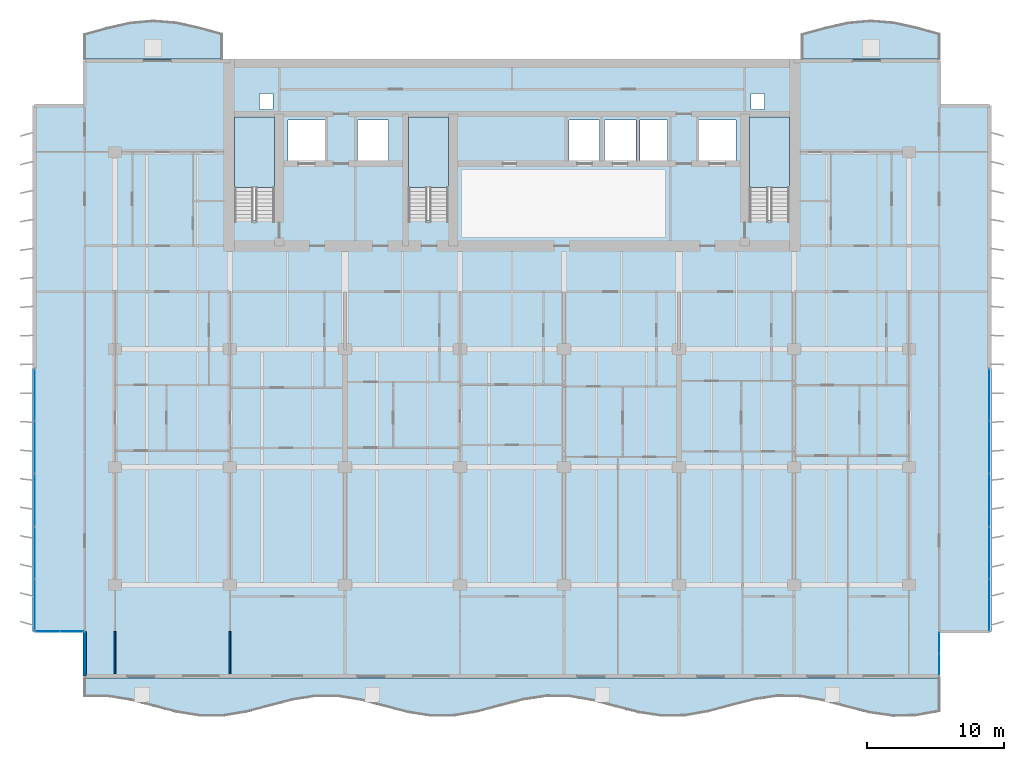
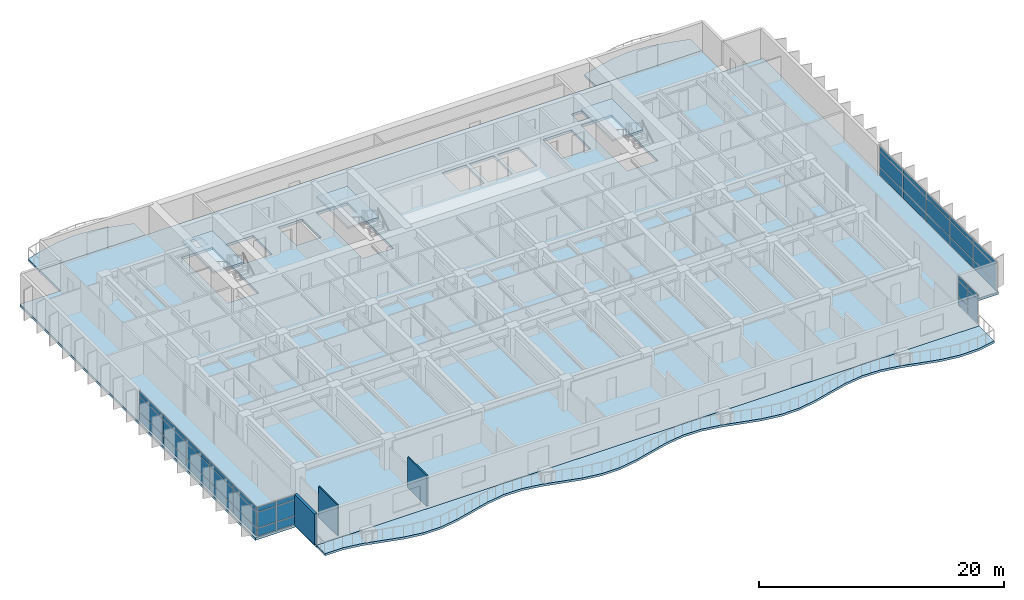
# One storey, part 5 of 19: 42 plates, 7 slabs, 3 walls, 7 elements without a shape of their own.
"""IFC4 building model written with IfcOpenShell, lengths in metres."""

from ifc_helpers import new_model, si_unit, direction, frame, frame_2d, origin, origin_2d, place, context, subcontext, project, spatial, polyline, rectangle, outline, extrude, material, layer, layer_set, type_object, element, aggregate, save


model = new_model("IFC4")

# Units and contexts
model_context = context("Model", 3, precision=1e-05, world=origin(), true_north=direction((0.0, 1.0)))
body_context = subcontext(model_context, "Body", "Model", "MODEL_VIEW")
ifc_project = project(units=[si_unit("LENGTHUNIT", "METRE"), si_unit("AREAUNIT", "SQUARE_METRE"), si_unit("VOLUMEUNIT", "CUBIC_METRE"), si_unit("PLANEANGLEUNIT", "RADIAN"), si_unit("MASSUNIT", "GRAM", prefix="KILO")], contexts=[model_context])

# Site, building, storey
site_placement = place(None, origin())
site = spatial("IfcSite", under=ifc_project, at=site_placement, CompositionType="ELEMENT")
building_placement = place(site_placement, origin())
building = spatial("IfcBuilding", under=site, at=building_placement, Name="Caelmar Bay Residences", CompositionType="ELEMENT")
storey_placement = place(building_placement, frame((0.0, 0.0, 112.5)))
storey = spatial("IfcBuildingStorey", under=building, at=storey_placement, Name="L30", CompositionType="ELEMENT", Elevation=112.5)

# Curtain wall, plates
ifc_material_1 = material(Name="Anodised bronze aluminium 6063-T6 and laminated glass", Category="aluminium")
ifc_layer_1 = layer(ifc_material_1, 0.179931640625)
ifc_layer_set_1 = layer_set([ifc_layer_1], Name="Anodised bronze aluminium 6063-T6 and laminated glass")
curtain_wall_type_1 = type_object("IfcCurtainWallType", Name="CW6-NTC", PredefinedType="NOTDEFINED", material=ifc_layer_set_1)
curtain_wall_1_placement = place(storey_placement, origin())
curtain_wall_1 = element("IfcCurtainWall", 1, at=curtain_wall_1_placement, inside=storey, type_object=curtain_wall_type_1, Name="CW6 curtain wall L30", PredefinedType="NOTDEFINED")
ifc_material_2 = material(Name="Bronze-tinted laminated low-E hurricane glass 28 mm", Category="glass")
ifc_layer_2 = layer(ifc_material_2, 0.028076171875)
ifc_layer_set_2 = layer_set([ifc_layer_2], Name="Bronze-tinted laminated low-E hurricane glass 28 mm")
plate_type = type_object("IfcPlateType", Name="CWP-GLZ28", PredefinedType="CURTAIN_PANEL", material=ifc_layer_set_2)
plate_1_placement = place(storey_placement, frame((4.982421875, 8.800048828125, 0.080078125), z_axis=(0.0, 0.0, 1.0), x_axis=(1.0, 0.0, 0.0)))
plate_1 = element("IfcPlate", 2, at=plate_1_placement, type_object=plate_type, Name="CW6 panel 1.1", PredefinedType="CURTAIN_PANEL", context=body_context, shape_type="SweptSolid", body=[
    extrude(rectangle(XDim=1.705078125, YDim=0.028076171875, at=origin_2d()), origin(), (0.0, 0.0, 1.0), 0.780029296875),
])
plate_2_placement = place(storey_placement, frame((4.982421875, 8.800048828125, 0.93994140625), z_axis=(0.0, 0.0, 1.0), x_axis=(1.0, 0.0, 0.0)))
plate_2 = element("IfcPlate", 3, at=plate_2_placement, type_object=plate_type, Name="CW6 panel 1.2", PredefinedType="CURTAIN_PANEL", context=body_context, shape_type="SweptSolid", body=[
    extrude(rectangle(XDim=1.705078125, YDim=0.028076171875, at=origin_2d()), origin(), (0.0, 0.0, 1.0), 1.52001953125),
])
plate_3_placement = place(storey_placement, frame((4.982421875, 8.800048828125, 2.5400390625), z_axis=(0.0, 0.0, 1.0), x_axis=(1.0, 0.0, 0.0)))
plate_3 = element("IfcPlate", 4, at=plate_3_placement, type_object=plate_type, Name="CW6 panel 1.3", PredefinedType="CURTAIN_PANEL", context=body_context, shape_type="SweptSolid", body=[
    extrude(rectangle(XDim=1.705078125, YDim=0.028076171875, at=origin_2d()), origin(), (0.0, 0.0, 1.0), 0.429931640625),
])
plate_4_placement = place(storey_placement, frame((6.767578125, 8.800048828125, 0.080078125), z_axis=(0.0, 0.0, 1.0), x_axis=(1.0, 0.0, 0.0)))
plate_4 = element("IfcPlate", 5, at=plate_4_placement, type_object=plate_type, Name="CW6 panel 2.1", PredefinedType="CURTAIN_PANEL", context=body_context, shape_type="SweptSolid", body=[
    extrude(rectangle(XDim=1.705078125, YDim=0.028076171875, at=origin_2d()), origin(), (0.0, 0.0, 1.0), 0.780029296875),
])
plate_5_placement = place(storey_placement, frame((6.767578125, 8.800048828125, 0.93994140625), z_axis=(0.0, 0.0, 1.0), x_axis=(1.0, 0.0, 0.0)))
plate_5 = element("IfcPlate", 6, at=plate_5_placement, type_object=plate_type, Name="CW6 panel 2.2", PredefinedType="CURTAIN_PANEL", context=body_context, shape_type="SweptSolid", body=[
    extrude(rectangle(XDim=1.705078125, YDim=0.028076171875, at=origin_2d()), origin(), (0.0, 0.0, 1.0), 1.52001953125),
])
plate_6_placement = place(storey_placement, frame((6.767578125, 8.800048828125, 2.5400390625), z_axis=(0.0, 0.0, 1.0), x_axis=(1.0, 0.0, 0.0)))
plate_6 = element("IfcPlate", 7, at=plate_6_placement, type_object=plate_type, Name="CW6 panel 2.3", PredefinedType="CURTAIN_PANEL", context=body_context, shape_type="SweptSolid", body=[
    extrude(rectangle(XDim=1.705078125, YDim=0.028076171875, at=origin_2d()), origin(), (0.0, 0.0, 1.0), 0.429931640625),
])
aggregate(curtain_wall_1, [plate_1, plate_2, plate_3, plate_4, plate_5, plate_6])

curtain_wall_2_placement = place(storey_placement, origin())
curtain_wall_2 = element("IfcCurtainWall", 8, at=curtain_wall_2_placement, inside=storey, type_object=curtain_wall_type_1, Name="CW6 curtain wall L30", PredefinedType="NOTDEFINED")
plate_7_placement = place(storey_placement, frame((70.10009765625, 6.382568359375, 0.080078125), z_axis=(0.0, 0.0, 1.0), x_axis=(0.0, 1.0, 0.0)))
plate_7 = element("IfcPlate", 9, at=plate_7_placement, type_object=plate_type, Name="CW6 panel 1.1", PredefinedType="CURTAIN_PANEL", context=body_context, shape_type="SweptSolid", body=[
    extrude(rectangle(XDim=1.5048828125, YDim=0.028076171875, at=origin_2d()), origin(), (0.0, 0.0, 1.0), 0.780029296875),
])
plate_8_placement = place(storey_placement, frame((70.10009765625, 6.382568359375, 0.93994140625), z_axis=(0.0, 0.0, 1.0), x_axis=(0.0, 1.0, 0.0)))
plate_8 = element("IfcPlate", 10, at=plate_8_placement, type_object=plate_type, Name="CW6 panel 1.2", PredefinedType="CURTAIN_PANEL", context=body_context, shape_type="SweptSolid", body=[
    extrude(rectangle(XDim=1.5048828125, YDim=0.028076171875, at=origin_2d()), origin(), (0.0, 0.0, 1.0), 1.52001953125),
])
plate_9_placement = place(storey_placement, frame((70.10009765625, 6.382568359375, 2.5400390625), z_axis=(0.0, 0.0, 1.0), x_axis=(0.0, 1.0, 0.0)))
plate_9 = element("IfcPlate", 11, at=plate_9_placement, type_object=plate_type, Name="CW6 panel 1.3", PredefinedType="CURTAIN_PANEL", context=body_context, shape_type="SweptSolid", body=[
    extrude(rectangle(XDim=1.5048828125, YDim=0.028076171875, at=origin_2d()), origin(), (0.0, 0.0, 1.0), 0.429931640625),
])
plate_10_placement = place(storey_placement, frame((70.10009765625, 7.967529296875, 0.080078125), z_axis=(0.0, 0.0, 1.0), x_axis=(0.0, 1.0, 0.0)))
plate_10 = element("IfcPlate", 12, at=plate_10_placement, type_object=plate_type, Name="CW6 panel 2.1", PredefinedType="CURTAIN_PANEL", context=body_context, shape_type="SweptSolid", body=[
    extrude(rectangle(XDim=1.5048828125, YDim=0.028076171875, at=origin_2d()), origin(), (0.0, 0.0, 1.0), 0.780029296875),
])
plate_11_placement = place(storey_placement, frame((70.10009765625, 7.967529296875, 0.93994140625), z_axis=(0.0, 0.0, 1.0), x_axis=(0.0, 1.0, 0.0)))
plate_11 = element("IfcPlate", 13, at=plate_11_placement, type_object=plate_type, Name="CW6 panel 2.2", PredefinedType="CURTAIN_PANEL", context=body_context, shape_type="SweptSolid", body=[
    extrude(rectangle(XDim=1.5048828125, YDim=0.028076171875, at=origin_2d()), origin(), (0.0, 0.0, 1.0), 1.52001953125),
])
plate_12_placement = place(storey_placement, frame((70.10009765625, 7.967529296875, 2.5400390625), z_axis=(0.0, 0.0, 1.0), x_axis=(0.0, 1.0, 0.0)))
plate_12 = element("IfcPlate", 14, at=plate_12_placement, type_object=plate_type, Name="CW6 panel 2.3", PredefinedType="CURTAIN_PANEL", context=body_context, shape_type="SweptSolid", body=[
    extrude(rectangle(XDim=1.5048828125, YDim=0.028076171875, at=origin_2d()), origin(), (0.0, 0.0, 1.0), 0.429931640625),
])
aggregate(curtain_wall_2, [plate_7, plate_8, plate_9, plate_10, plate_11, plate_12])

ifc_layer_3 = layer(ifc_material_1, 0.179931640625)
ifc_layer_set_3 = layer_set([ifc_layer_3], Name="Anodised bronze aluminium 6063-T6 and laminated glass")
curtain_wall_type_2 = type_object("IfcCurtainWallType", Name="CW3-Z2", PredefinedType="NOTDEFINED", material=ifc_layer_set_3)
curtain_wall_3_placement = place(storey_placement, origin())
curtain_wall_3 = element("IfcCurtainWall", 15, at=curtain_wall_3_placement, inside=storey, type_object=curtain_wall_type_2, Name="CW3 curtain wall L30", PredefinedType="NOTDEFINED")
plate_13_placement = place(storey_placement, frame((4.050048828125, 10.739990234375, 0.080078125), z_axis=(0.0, 0.0, 1.0), x_axis=(0.0, 1.0, 0.0)))
plate_13 = element("IfcPlate", 16, at=plate_13_placement, type_object=plate_type, Name="CW3 panel 1.1", PredefinedType="CURTAIN_PANEL", context=body_context, shape_type="SweptSolid", body=[
    extrude(rectangle(XDim=3.719970703125, YDim=0.028076171875, at=origin_2d()), origin(), (0.0, 0.0, 1.0), 0.780029296875),
])
plate_14_placement = place(storey_placement, frame((4.050048828125, 10.739990234375, 0.93994140625), z_axis=(0.0, 0.0, 1.0), x_axis=(0.0, 1.0, 0.0)))
plate_14 = element("IfcPlate", 17, at=plate_14_placement, type_object=plate_type, Name="CW3 panel 1.2", PredefinedType="CURTAIN_PANEL", context=body_context, shape_type="SweptSolid", body=[
    extrude(rectangle(XDim=3.719970703125, YDim=0.028076171875, at=origin_2d()), origin(), (0.0, 0.0, 1.0), 1.52001953125),
])
plate_15_placement = place(storey_placement, frame((4.050048828125, 10.739990234375, 2.5400390625), z_axis=(0.0, 0.0, 1.0), x_axis=(0.0, 1.0, 0.0)))
plate_15 = element("IfcPlate", 18, at=plate_15_placement, type_object=plate_type, Name="CW3 panel 1.3", PredefinedType="CURTAIN_PANEL", context=body_context, shape_type="SweptSolid", body=[
    extrude(rectangle(XDim=3.719970703125, YDim=0.028076171875, at=origin_2d()), origin(), (0.0, 0.0, 1.0), 0.429931640625),
])
plate_16_placement = place(storey_placement, frame((4.050048828125, 14.56005859375, 0.080078125), z_axis=(0.0, 0.0, 1.0), x_axis=(0.0, 1.0, 0.0)))
plate_16 = element("IfcPlate", 19, at=plate_16_placement, type_object=plate_type, Name="CW3 panel 2.1", PredefinedType="CURTAIN_PANEL", context=body_context, shape_type="SweptSolid", body=[
    extrude(rectangle(XDim=3.760009765625, YDim=0.028076171875, at=origin_2d()), origin(), (0.0, 0.0, 1.0), 0.780029296875),
])
plate_17_placement = place(storey_placement, frame((4.050048828125, 14.56005859375, 0.93994140625), z_axis=(0.0, 0.0, 1.0), x_axis=(0.0, 1.0, 0.0)))
plate_17 = element("IfcPlate", 20, at=plate_17_placement, type_object=plate_type, Name="CW3 panel 2.2", PredefinedType="CURTAIN_PANEL", context=body_context, shape_type="SweptSolid", body=[
    extrude(rectangle(XDim=3.760009765625, YDim=0.028076171875, at=origin_2d()), origin(), (0.0, 0.0, 1.0), 1.52001953125),
])
plate_18_placement = place(storey_placement, frame((4.050048828125, 14.56005859375, 2.5400390625), z_axis=(0.0, 0.0, 1.0), x_axis=(0.0, 1.0, 0.0)))
plate_18 = element("IfcPlate", 21, at=plate_18_placement, type_object=plate_type, Name="CW3 panel 2.3", PredefinedType="CURTAIN_PANEL", context=body_context, shape_type="SweptSolid", body=[
    extrude(rectangle(XDim=3.760009765625, YDim=0.028076171875, at=origin_2d()), origin(), (0.0, 0.0, 1.0), 0.429931640625),
])
plate_19_placement = place(storey_placement, frame((4.050048828125, 18.39990234375, 0.080078125), z_axis=(0.0, 0.0, 1.0), x_axis=(0.0, 1.0, 0.0)))
plate_19 = element("IfcPlate", 22, at=plate_19_placement, type_object=plate_type, Name="CW3 panel 3.1", PredefinedType="CURTAIN_PANEL", context=body_context, shape_type="SweptSolid", body=[
    extrude(rectangle(XDim=3.760009765625, YDim=0.028076171875, at=origin_2d()), origin(), (0.0, 0.0, 1.0), 0.780029296875),
])
plate_20_placement = place(storey_placement, frame((4.050048828125, 18.39990234375, 0.93994140625), z_axis=(0.0, 0.0, 1.0), x_axis=(0.0, 1.0, 0.0)))
plate_20 = element("IfcPlate", 23, at=plate_20_placement, type_object=plate_type, Name="CW3 panel 3.2", PredefinedType="CURTAIN_PANEL", context=body_context, shape_type="SweptSolid", body=[
    extrude(rectangle(XDim=3.760009765625, YDim=0.028076171875, at=origin_2d()), origin(), (0.0, 0.0, 1.0), 1.52001953125),
])
plate_21_placement = place(storey_placement, frame((4.050048828125, 18.39990234375, 2.5400390625), z_axis=(0.0, 0.0, 1.0), x_axis=(0.0, 1.0, 0.0)))
plate_21 = element("IfcPlate", 24, at=plate_21_placement, type_object=plate_type, Name="CW3 panel 3.3", PredefinedType="CURTAIN_PANEL", context=body_context, shape_type="SweptSolid", body=[
    extrude(rectangle(XDim=3.760009765625, YDim=0.028076171875, at=origin_2d()), origin(), (0.0, 0.0, 1.0), 0.429931640625),
])
plate_22_placement = place(storey_placement, frame((4.050048828125, 22.239990234375, 0.080078125), z_axis=(0.0, 0.0, 1.0), x_axis=(0.0, 1.0, 0.0)))
plate_22 = element("IfcPlate", 25, at=plate_22_placement, type_object=plate_type, Name="CW3 panel 4.1", PredefinedType="CURTAIN_PANEL", context=body_context, shape_type="SweptSolid", body=[
    extrude(rectangle(XDim=3.760009765625, YDim=0.028076171875, at=origin_2d()), origin(), (0.0, 0.0, 1.0), 0.780029296875),
])
plate_23_placement = place(storey_placement, frame((4.050048828125, 22.239990234375, 0.93994140625), z_axis=(0.0, 0.0, 1.0), x_axis=(0.0, 1.0, 0.0)))
plate_23 = element("IfcPlate", 26, at=plate_23_placement, type_object=plate_type, Name="CW3 panel 4.2", PredefinedType="CURTAIN_PANEL", context=body_context, shape_type="SweptSolid", body=[
    extrude(rectangle(XDim=3.760009765625, YDim=0.028076171875, at=origin_2d()), origin(), (0.0, 0.0, 1.0), 1.52001953125),
])
plate_24_placement = place(storey_placement, frame((4.050048828125, 22.239990234375, 2.5400390625), z_axis=(0.0, 0.0, 1.0), x_axis=(0.0, 1.0, 0.0)))
plate_24 = element("IfcPlate", 27, at=plate_24_placement, type_object=plate_type, Name="CW3 panel 4.3", PredefinedType="CURTAIN_PANEL", context=body_context, shape_type="SweptSolid", body=[
    extrude(rectangle(XDim=3.760009765625, YDim=0.028076171875, at=origin_2d()), origin(), (0.0, 0.0, 1.0), 0.429931640625),
])
plate_25_placement = place(storey_placement, frame((4.050048828125, 26.06005859375, 0.080078125), z_axis=(0.0, 0.0, 1.0), x_axis=(0.0, 1.0, 0.0)))
plate_25 = element("IfcPlate", 28, at=plate_25_placement, type_object=plate_type, Name="CW3 panel 5.1", PredefinedType="CURTAIN_PANEL", context=body_context, shape_type="SweptSolid", body=[
    extrude(rectangle(XDim=3.719970703125, YDim=0.028076171875, at=origin_2d()), origin(), (0.0, 0.0, 1.0), 0.780029296875),
])
plate_26_placement = place(storey_placement, frame((4.050048828125, 26.06005859375, 0.93994140625), z_axis=(0.0, 0.0, 1.0), x_axis=(0.0, 1.0, 0.0)))
plate_26 = element("IfcPlate", 29, at=plate_26_placement, type_object=plate_type, Name="CW3 panel 5.2", PredefinedType="CURTAIN_PANEL", context=body_context, shape_type="SweptSolid", body=[
    extrude(rectangle(XDim=3.719970703125, YDim=0.028076171875, at=origin_2d()), origin(), (0.0, 0.0, 1.0), 1.52001953125),
])
plate_27_placement = place(storey_placement, frame((4.050048828125, 26.06005859375, 2.5400390625), z_axis=(0.0, 0.0, 1.0), x_axis=(0.0, 1.0, 0.0)))
plate_27 = element("IfcPlate", 30, at=plate_27_placement, type_object=plate_type, Name="CW3 panel 5.3", PredefinedType="CURTAIN_PANEL", context=body_context, shape_type="SweptSolid", body=[
    extrude(rectangle(XDim=3.719970703125, YDim=0.028076171875, at=origin_2d()), origin(), (0.0, 0.0, 1.0), 0.429931640625),
])
aggregate(curtain_wall_3, [plate_13, plate_14, plate_15, plate_16, plate_17, plate_18, plate_19, plate_20, plate_21, plate_22, plate_23, plate_24, plate_25, plate_26, plate_27])

curtain_wall_4_placement = place(storey_placement, origin())
curtain_wall_4 = element("IfcCurtainWall", 31, at=curtain_wall_4_placement, inside=storey, type_object=curtain_wall_type_2, Name="CW3 curtain wall L30", PredefinedType="NOTDEFINED")
plate_28_placement = place(storey_placement, frame((73.75, 26.06005859375, 0.080078125), z_axis=(0.0, 0.0, 1.0), x_axis=(0.0, -1.0, 0.0)))
plate_28 = element("IfcPlate", 32, at=plate_28_placement, type_object=plate_type, Name="CW3 panel 1.1", PredefinedType="CURTAIN_PANEL", context=body_context, shape_type="SweptSolid", body=[
    extrude(rectangle(XDim=3.719970703125, YDim=0.028076171875, at=origin_2d()), origin(), (0.0, 0.0, 1.0), 0.780029296875),
])
plate_29_placement = place(storey_placement, frame((73.75, 26.06005859375, 0.93994140625), z_axis=(0.0, 0.0, 1.0), x_axis=(0.0, -1.0, 0.0)))
plate_29 = element("IfcPlate", 33, at=plate_29_placement, type_object=plate_type, Name="CW3 panel 1.2", PredefinedType="CURTAIN_PANEL", context=body_context, shape_type="SweptSolid", body=[
    extrude(rectangle(XDim=3.719970703125, YDim=0.028076171875, at=origin_2d()), origin(), (0.0, 0.0, 1.0), 1.52001953125),
])
plate_30_placement = place(storey_placement, frame((73.75, 26.06005859375, 2.5400390625), z_axis=(0.0, 0.0, 1.0), x_axis=(0.0, -1.0, 0.0)))
plate_30 = element("IfcPlate", 34, at=plate_30_placement, type_object=plate_type, Name="CW3 panel 1.3", PredefinedType="CURTAIN_PANEL", context=body_context, shape_type="SweptSolid", body=[
    extrude(rectangle(XDim=3.719970703125, YDim=0.028076171875, at=origin_2d()), origin(), (0.0, 0.0, 1.0), 0.429931640625),
])
plate_31_placement = place(storey_placement, frame((73.75, 22.239990234375, 0.080078125), z_axis=(0.0, 0.0, 1.0), x_axis=(0.0, -1.0, 0.0)))
plate_31 = element("IfcPlate", 35, at=plate_31_placement, type_object=plate_type, Name="CW3 panel 2.1", PredefinedType="CURTAIN_PANEL", context=body_context, shape_type="SweptSolid", body=[
    extrude(rectangle(XDim=3.760009765625, YDim=0.028076171875, at=origin_2d()), origin(), (0.0, 0.0, 1.0), 0.780029296875),
])
plate_32_placement = place(storey_placement, frame((73.75, 22.239990234375, 0.93994140625), z_axis=(0.0, 0.0, 1.0), x_axis=(0.0, -1.0, 0.0)))
plate_32 = element("IfcPlate", 36, at=plate_32_placement, type_object=plate_type, Name="CW3 panel 2.2", PredefinedType="CURTAIN_PANEL", context=body_context, shape_type="SweptSolid", body=[
    extrude(rectangle(XDim=3.760009765625, YDim=0.028076171875, at=origin_2d()), origin(), (0.0, 0.0, 1.0), 1.52001953125),
])
plate_33_placement = place(storey_placement, frame((73.75, 22.239990234375, 2.5400390625), z_axis=(0.0, 0.0, 1.0), x_axis=(0.0, -1.0, 0.0)))
plate_33 = element("IfcPlate", 37, at=plate_33_placement, type_object=plate_type, Name="CW3 panel 2.3", PredefinedType="CURTAIN_PANEL", context=body_context, shape_type="SweptSolid", body=[
    extrude(rectangle(XDim=3.760009765625, YDim=0.028076171875, at=origin_2d()), origin(), (0.0, 0.0, 1.0), 0.429931640625),
])
plate_34_placement = place(storey_placement, frame((73.75, 18.39990234375, 0.080078125), z_axis=(0.0, 0.0, 1.0), x_axis=(0.0, -1.0, 0.0)))
plate_34 = element("IfcPlate", 38, at=plate_34_placement, type_object=plate_type, Name="CW3 panel 3.1", PredefinedType="CURTAIN_PANEL", context=body_context, shape_type="SweptSolid", body=[
    extrude(rectangle(XDim=3.760009765625, YDim=0.028076171875, at=origin_2d()), origin(), (0.0, 0.0, 1.0), 0.780029296875),
])
plate_35_placement = place(storey_placement, frame((73.75, 18.39990234375, 0.93994140625), z_axis=(0.0, 0.0, 1.0), x_axis=(0.0, -1.0, 0.0)))
plate_35 = element("IfcPlate", 39, at=plate_35_placement, type_object=plate_type, Name="CW3 panel 3.2", PredefinedType="CURTAIN_PANEL", context=body_context, shape_type="SweptSolid", body=[
    extrude(rectangle(XDim=3.760009765625, YDim=0.028076171875, at=origin_2d()), origin(), (0.0, 0.0, 1.0), 1.52001953125),
])
plate_36_placement = place(storey_placement, frame((73.75, 18.39990234375, 2.5400390625), z_axis=(0.0, 0.0, 1.0), x_axis=(0.0, -1.0, 0.0)))
plate_36 = element("IfcPlate", 40, at=plate_36_placement, type_object=plate_type, Name="CW3 panel 3.3", PredefinedType="CURTAIN_PANEL", context=body_context, shape_type="SweptSolid", body=[
    extrude(rectangle(XDim=3.760009765625, YDim=0.028076171875, at=origin_2d()), origin(), (0.0, 0.0, 1.0), 0.429931640625),
])
plate_37_placement = place(storey_placement, frame((73.75, 14.56005859375, 0.080078125), z_axis=(0.0, 0.0, 1.0), x_axis=(0.0, -1.0, 0.0)))
plate_37 = element("IfcPlate", 41, at=plate_37_placement, type_object=plate_type, Name="CW3 panel 4.1", PredefinedType="CURTAIN_PANEL", context=body_context, shape_type="SweptSolid", body=[
    extrude(rectangle(XDim=3.760009765625, YDim=0.028076171875, at=origin_2d()), origin(), (0.0, 0.0, 1.0), 0.780029296875),
])
plate_38_placement = place(storey_placement, frame((73.75, 14.56005859375, 0.93994140625), z_axis=(0.0, 0.0, 1.0), x_axis=(0.0, -1.0, 0.0)))
plate_38 = element("IfcPlate", 42, at=plate_38_placement, type_object=plate_type, Name="CW3 panel 4.2", PredefinedType="CURTAIN_PANEL", context=body_context, shape_type="SweptSolid", body=[
    extrude(rectangle(XDim=3.760009765625, YDim=0.028076171875, at=origin_2d()), origin(), (0.0, 0.0, 1.0), 1.52001953125),
])
plate_39_placement = place(storey_placement, frame((73.75, 14.56005859375, 2.5400390625), z_axis=(0.0, 0.0, 1.0), x_axis=(0.0, -1.0, 0.0)))
plate_39 = element("IfcPlate", 43, at=plate_39_placement, type_object=plate_type, Name="CW3 panel 4.3", PredefinedType="CURTAIN_PANEL", context=body_context, shape_type="SweptSolid", body=[
    extrude(rectangle(XDim=3.760009765625, YDim=0.028076171875, at=origin_2d()), origin(), (0.0, 0.0, 1.0), 0.429931640625),
])
plate_40_placement = place(storey_placement, frame((73.75, 10.739990234375, 0.080078125), z_axis=(0.0, 0.0, 1.0), x_axis=(0.0, -1.0, 0.0)))
plate_40 = element("IfcPlate", 44, at=plate_40_placement, type_object=plate_type, Name="CW3 panel 5.1", PredefinedType="CURTAIN_PANEL", context=body_context, shape_type="SweptSolid", body=[
    extrude(rectangle(XDim=3.719970703125, YDim=0.028076171875, at=origin_2d()), origin(), (0.0, 0.0, 1.0), 0.780029296875),
])
plate_41_placement = place(storey_placement, frame((73.75, 10.739990234375, 0.93994140625), z_axis=(0.0, 0.0, 1.0), x_axis=(0.0, -1.0, 0.0)))
plate_41 = element("IfcPlate", 45, at=plate_41_placement, type_object=plate_type, Name="CW3 panel 5.2", PredefinedType="CURTAIN_PANEL", context=body_context, shape_type="SweptSolid", body=[
    extrude(rectangle(XDim=3.719970703125, YDim=0.028076171875, at=origin_2d()), origin(), (0.0, 0.0, 1.0), 1.52001953125),
])
plate_42_placement = place(storey_placement, frame((73.75, 10.739990234375, 2.5400390625), z_axis=(0.0, 0.0, 1.0), x_axis=(0.0, -1.0, 0.0)))
plate_42 = element("IfcPlate", 46, at=plate_42_placement, type_object=plate_type, Name="CW3 panel 5.3", PredefinedType="CURTAIN_PANEL", context=body_context, shape_type="SweptSolid", body=[
    extrude(rectangle(XDim=3.719970703125, YDim=0.028076171875, at=origin_2d()), origin(), (0.0, 0.0, 1.0), 0.429931640625),
])
aggregate(curtain_wall_4, [plate_28, plate_29, plate_30, plate_31, plate_32, plate_33, plate_34, plate_35, plate_36, plate_37, plate_38, plate_39, plate_40, plate_41, plate_42])

# Slabs
ifc_material_3 = material(Name="Concrete f'c 40 MPa (6,000 psi)", Category="concrete")
ifc_layer_4 = layer(ifc_material_3, 0.219970703125)
ifc_layer_set_4 = layer_set([ifc_layer_4], Name="Concrete f'c 40 MPa (6,000 psi)")
slab_type_1 = type_object("IfcSlabType", Name="SLB-BAL-220", PredefinedType="FLOOR", material=ifc_layer_set_4)
slab_1_placement = place(storey_placement, frame((0.0, 0.0, -0.219970703125)))
element("IfcSlab", 47, at=slab_1_placement, inside=storey, type_object=slab_type_1, Name="L30 Sinusoidal Tree-Balcony Slab south", PredefinedType="FLOOR", context=body_context, shape_type="SweptSolid", body=[
    extrude(outline(polyline([(7.699951171875, 4.01318359375), (9.386474609375, 4.0126953125), (11.072998046875, 3.73779296875), (12.759521484375, 3.29443359375), (14.44580078125, 2.853271484375), (16.13232421875, 2.583984375), (17.81884765625, 2.590087890625), (19.50537109375, 2.869384765625), (21.19189453125, 3.314697265625), (22.87841796875, 3.75390625), (24.56494140625, 4.018798828125), (26.25146484375, 4.0068359375), (27.937744140625, 3.722900390625), (29.624267578125, 3.2763671875), (31.310791015625, 2.8388671875), (32.997314453125, 2.57861328125), (34.683837890625, 2.59619140625), (36.370361328125, 2.884521484375), (38.056884765625, 3.332763671875), (39.7431640625, 3.768310546875), (41.4296875, 4.023681640625), (43.1162109375, 4.00048828125), (44.802734375, 3.707763671875), (46.4892578125, 3.25830078125), (48.17578125, 2.82470703125), (49.8623046875, 2.573974609375), (51.548583984375, 2.602783203125), (53.235107421875, 2.89990234375), (54.921630859375, 3.350830078125), (56.608154296875, 3.782470703125), (58.294677734375, 4.0283203125), (59.981201171875, 3.993896484375), (61.66748046875, 3.6923828125), (63.35400390625, 3.239990234375), (65.04052734375, 2.810791015625), (66.72705078125, 2.569580078125), (68.41357421875, 2.609619140625), (70.10009765625, 2.915283203125), (70.10009765625, 5.39990234375), (7.699951171875, 5.39990234375), (7.699951171875, 4.01318359375)])), origin(), (0.0, 0.0, 1.0), 0.219970703125),
])
slab_2_placement = place(storey_placement, frame((0.0, 0.0, -0.219970703125)))
element("IfcSlab", 48, at=slab_2_placement, inside=storey, type_object=slab_type_1, Name="L30 Sinusoidal Tree-Balcony Slab north_west", PredefinedType="FLOOR", context=body_context, shape_type="SweptSolid", body=[
    extrude(outline(polyline([(7.699951171875, 50.60009765625), (17.699951171875, 50.60009765625), (17.699951171875, 52.48974609375), (16.033203125, 52.949462890625), (14.36669921875, 53.3154296875), (12.699951171875, 53.449951171875), (11.033203125, 53.30224609375), (9.36669921875, 52.92822265625), (7.699951171875, 52.46826171875), (7.699951171875, 50.60009765625)])), origin(), (0.0, 0.0, 1.0), 0.219970703125),
])
slab_3_placement = place(storey_placement, frame((0.0, 0.0, -0.219970703125)))
element("IfcSlab", 49, at=slab_3_placement, inside=storey, type_object=slab_type_1, Name="L30 Sinusoidal Tree-Balcony Slab north_east", PredefinedType="FLOOR", context=body_context, shape_type="SweptSolid", body=[
    extrude(outline(polyline([(60.10009765625, 50.60009765625), (70.10009765625, 50.60009765625), (70.10009765625, 52.48974609375), (68.433349609375, 52.949462890625), (66.7666015625, 53.3154296875), (65.10009765625, 53.449951171875), (63.433349609375, 53.30224609375), (61.7666015625, 52.92822265625), (60.10009765625, 52.46826171875), (60.10009765625, 50.60009765625)])), origin(), (0.0, 0.0, 1.0), 0.219970703125),
])

# Stair, slab
stair_type = type_object("IfcStairType", Name="ST-TYP-165", PredefinedType="HALF_TURN_STAIR", material=ifc_material_3)
stair_1_placement = place(storey_placement, origin())
stair_1 = element("IfcStair", 50, at=stair_1_placement, inside=storey, type_object=stair_type, Name="L30 West Smokeproof Exit Stair ST1", PredefinedType="HALF_TURN_STAIR")
ifc_layer_5 = layer(ifc_material_3, 0.199951171875)
ifc_layer_set_5 = layer_set([ifc_layer_5], Name="Concrete f'c 40 MPa (6,000 psi)")
slab_type_2 = type_object("IfcSlabType", Name="SLB-LND-200", PredefinedType="LANDING", material=ifc_layer_set_5)
slab_4_placement = place(storey_placement, frame((0.0, 0.0, 1.449951171875)))
slab_4 = element("IfcSlab", 51, at=slab_4_placement, type_object=slab_type_2, Name="ST1 landing 1", PredefinedType="LANDING", context=body_context, shape_type="SweptSolid", body=[
    extrude(outline(polyline([(21.550048828125, 41.219970703125), (21.550048828125, 46.35009765625), (18.64990234375, 46.35009765625), (18.64990234375, 41.219970703125), (21.550048828125, 41.219970703125)])), origin(), (0.0, 0.0, 1.0), 0.199951171875),
])
aggregate(stair_1, [slab_4])

stair_2_placement = place(storey_placement, origin())
stair_2 = element("IfcStair", 52, at=stair_2_placement, inside=storey, type_object=stair_type, Name="L30 East Smokeproof Exit Stair ST2", PredefinedType="HALF_TURN_STAIR")
slab_5_placement = place(storey_placement, frame((0.0, 0.0, 1.449951171875)))
slab_5 = element("IfcSlab", 53, at=slab_5_placement, type_object=slab_type_2, Name="ST2 landing 1", PredefinedType="LANDING", context=body_context, shape_type="SweptSolid", body=[
    extrude(outline(polyline([(59.14990234375, 41.219970703125), (59.14990234375, 46.35009765625), (56.25, 46.35009765625), (56.25, 41.219970703125), (59.14990234375, 41.219970703125)])), origin(), (0.0, 0.0, 1.0), 0.199951171875),
])
aggregate(stair_2, [slab_5])

stair_3_placement = place(storey_placement, origin())
stair_3 = element("IfcStair", 54, at=stair_3_placement, inside=storey, type_object=stair_type, Name="L30 Central Smokeproof Exit Stair ST3", PredefinedType="HALF_TURN_STAIR")
slab_6_placement = place(storey_placement, frame((0.0, 0.0, 1.449951171875)))
slab_6 = element("IfcSlab", 55, at=slab_6_placement, type_object=slab_type_2, Name="ST3 landing 1", PredefinedType="LANDING", context=body_context, shape_type="SweptSolid", body=[
    extrude(outline(polyline([(34.25, 41.219970703125), (34.25, 46.35009765625), (31.35009765625, 46.35009765625), (31.35009765625, 41.219970703125), (34.25, 41.219970703125)])), origin(), (0.0, 0.0, 1.0), 0.199951171875),
])
aggregate(stair_3, [slab_6])

# Slab
ifc_layer_6 = layer(ifc_material_3, 0.25)
ifc_layer_set_6 = layer_set([ifc_layer_6], Name="Concrete f'c 40 MPa (6,000 psi)")
slab_type_3 = type_object("IfcSlabType", Name="SLB-RES-250", PredefinedType="FLOOR", material=ifc_layer_set_6)
slab_7_placement = place(storey_placement, frame((0.0, 0.0, -0.25)))
element("IfcSlab", 56, at=slab_7_placement, inside=storey, type_object=slab_type_3, Name="L30 Structural Floor Slab", PredefinedType="FLOOR", context=body_context, shape_type="SweptSolid", body=[
    extrude(outline(polyline([(7.699951171875, 5.39990234375), (70.10009765625, 5.39990234375), (70.10009765625, 8.800048828125), (73.89990234375, 8.800048828125), (73.89990234375, 47.199951171875), (70.10009765625, 47.199951171875), (70.10009765625, 50.60009765625), (7.699951171875, 50.60009765625), (7.699951171875, 47.199951171875), (3.89990234375, 47.199951171875), (3.89990234375, 8.800048828125), (7.699951171875, 8.800048828125), (7.699951171875, 5.39990234375)]), holes=[polyline([(18.64990234375, 38.85009765625), (21.550048828125, 38.85009765625), (21.550048828125, 46.35009765625), (18.64990234375, 46.35009765625), (18.64990234375, 38.85009765625)]), polyline([(56.25, 38.85009765625), (59.14990234375, 38.85009765625), (59.14990234375, 46.35009765625), (56.25, 46.35009765625), (56.25, 38.85009765625)]), polyline([(31.35009765625, 38.85009765625), (34.25, 38.85009765625), (34.25, 46.35009765625), (31.35009765625, 46.35009765625), (31.35009765625, 38.85009765625)]), polyline([(22.550048828125, 43.050048828125), (25.25, 43.050048828125), (25.25, 46.14990234375), (22.550048828125, 46.14990234375), (22.550048828125, 43.050048828125)]), polyline([(52.550048828125, 43.050048828125), (55.25, 43.050048828125), (55.25, 46.14990234375), (52.550048828125, 46.14990234375), (52.550048828125, 43.050048828125)]), polyline([(43.050048828125, 43.14990234375), (45.300048828125, 43.14990234375), (45.300048828125, 46.14990234375), (43.050048828125, 46.14990234375), (43.050048828125, 43.14990234375)]), polyline([(45.64990234375, 43.14990234375), (47.949951171875, 43.14990234375), (47.949951171875, 46.14990234375), (45.64990234375, 46.14990234375), (45.64990234375, 43.14990234375)]), polyline([(48.25, 43.14990234375), (50.25, 43.14990234375), (50.25, 46.14990234375), (48.25, 46.14990234375), (48.25, 43.14990234375)]), polyline([(27.60009765625, 43.14990234375), (29.89990234375, 43.14990234375), (29.89990234375, 46.14990234375), (27.60009765625, 46.14990234375), (27.60009765625, 43.14990234375)]), polyline([(20.449951171875, 46.89990234375), (21.449951171875, 46.89990234375), (21.449951171875, 48.10009765625), (20.449951171875, 48.10009765625), (20.449951171875, 46.89990234375)]), polyline([(56.35009765625, 46.89990234375), (57.35009765625, 46.89990234375), (57.35009765625, 48.10009765625), (56.35009765625, 48.10009765625), (56.35009765625, 46.89990234375)])]), origin(), (0.0, 0.0, 1.0), 0.25),
])

# Walls
ifc_material_4 = material(Name="Precast concrete f'c 40 MPa (6,000 psi)", Category="concrete")
ifc_layer_7 = layer(ifc_material_4, 0.25)
ifc_layer_set_7 = layer_set([ifc_layer_7], Name="Precast concrete f'c 40 MPa (6,000 psi)")
wall_type_1 = type_object("IfcWallType", Name="W-EXT-250", PredefinedType="ELEMENTEDWALL", material=ifc_layer_set_7)
wall_placement = place(storey_placement, frame((7.699951171875, 8.800048828125, 0.0), z_axis=(0.0, 0.0, 1.0), x_axis=(0.0, -1.0, 0.0)))
element("IfcWall", 57, at=wall_placement, inside=storey, type_object=wall_type_1, Name="L30 SW Notch Return Wall", PredefinedType="ELEMENTEDWALL", context=body_context, shape_type="SweptSolid", body=[
    extrude(rectangle(XDim=3.25, YDim=0.25, at=frame_2d((1.625, 0.0))), origin(), (0.0, 0.0, 1.0), 3.050048828125),
])
ifc_material_5 = material(Name="Acoustic metal-stud gypsum partition 120 mm")
ifc_layer_8 = layer(ifc_material_5, 0.1201171875)
ifc_layer_set_8 = layer_set([ifc_layer_8], Name="Acoustic metal-stud gypsum partition 120 mm")
wall_type_2 = type_object("IfcWallType", Name="W-PRT-120", PredefinedType="PARTITIONING", material=ifc_layer_set_8)
for number, where, z_axis, x_axis, name in (
    (58, (9.89990234375, 5.695068359375, 0.0), (0.0, 0.0, 1.0), (0.0, 1.0, 0.0), "L30 Partition Wall V010"),
    (59, (18.300048828125, 5.695068359375, 0.0), (0.0, 0.0, 1.0), (0.0, 1.0, 0.0), "L30 Partition Wall V024"),
):
    element("IfcWall", number, at=place(storey_placement, frame(where, z_axis=z_axis, x_axis=x_axis)), inside=storey, type_object=wall_type_2, Name=name, PredefinedType="PARTITIONING", context=body_context, shape_type="SweptSolid", body=[
        extrude(rectangle(XDim=3.10498046875, YDim=0.1201171875, at=frame_2d((1.552490234375, 0.0))), origin(), (0.0, 0.0, 1.0), 3.050048828125),
    ])

save(model, "model.ifc")
